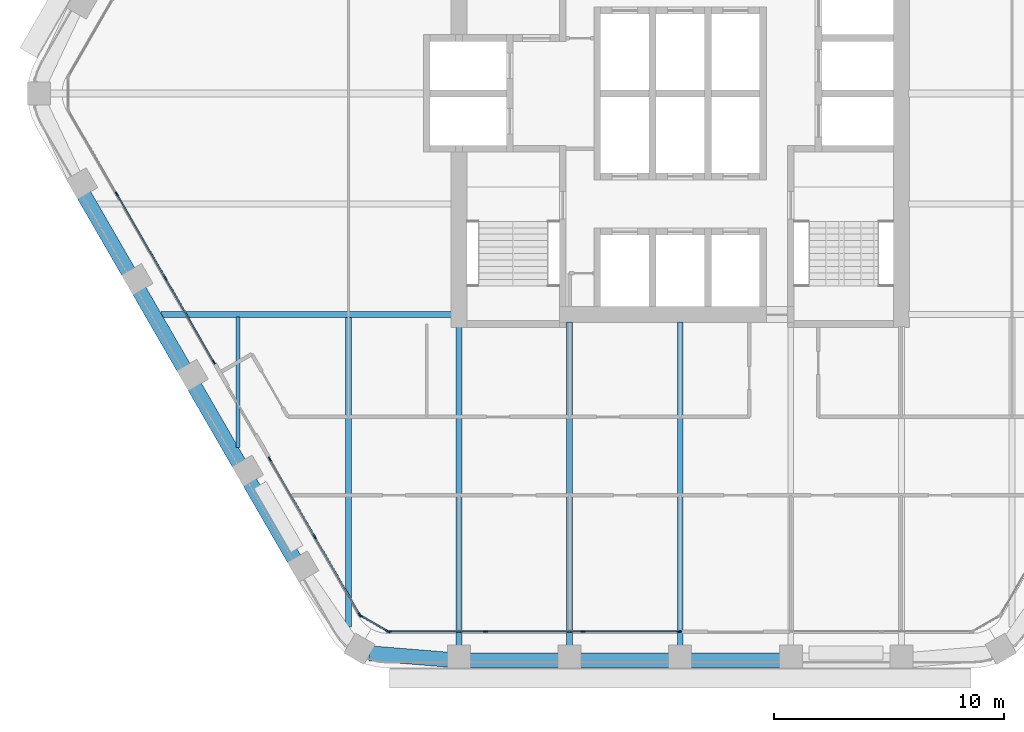
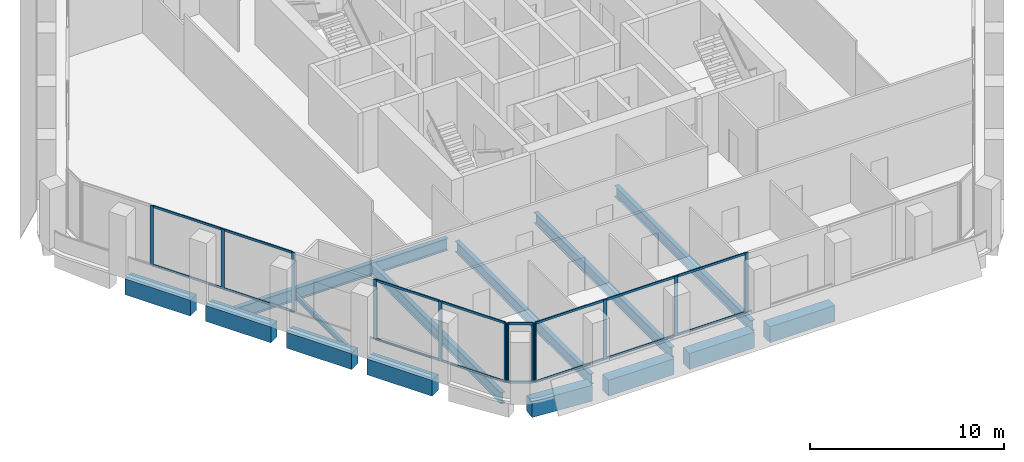
# One storey, part 2 of 15: 28 members, 14 beams, 4 elements without a shape of their own.
"""IFC4 building model written with IfcOpenShell, lengths in metres."""

import ifcopenshell
import ifcopenshell.guid

model = None  # the IFC model being written
_history = None  # IfcOwnerHistory: only IFC2X3 demands one
_inside = {}  # id of a spatial element -> (the spatial element, [elements in it])
_under = {}  # id of a project, library or spatial element -> (it, [spatial elements below it])
_declared = {}  # id of a project -> (the project, [libraries it declares])
_typed = {}  # id of a type object -> (the type object, [elements of that type])
_made_of = {}  # id of a material, layer set ... -> (it, [elements and type objects made of it])


def new_model(schema):
    """Start an empty IFC model of exactly this schema.

    Asked for "IFC4X3", IfcOpenShell would pick the latest addendum, in which some entities
    have other attributes; the version numbers below select the first issue.
    IFC2X3 requires an IfcOwnerHistory on every rooted entity: one is made here for all.
    """
    global model, _history
    if schema == "IFC4X3":
        model = ifcopenshell.file(schema_version=(4, 3, 0, 0))
    else:
        model = ifcopenshell.file(schema=schema)
    _inside.clear()
    _under.clear()
    _declared.clear()
    _typed.clear()
    _made_of.clear()
    _history = None
    if model.schema == "IFC2X3":
        org = make("IfcOrganization", Name="unknown")
        user = make(
            "IfcPersonAndOrganization",
            ThePerson=make("IfcPerson", FamilyName="unknown"),
            TheOrganization=org,
        )
        app = make(
            "IfcApplication",
            ApplicationDeveloper=org,
            Version="unknown",
            ApplicationFullName="unknown",
            ApplicationIdentifier="unknown",
        )
        _history = make(
            "IfcOwnerHistory",
            OwningUser=user,
            OwningApplication=app,
            ChangeAction="ADDED",
            CreationDate=0,
        )
    return model


def make(cls, **values):
    """One entity of the class cls with the attributes given. An attribute that is None is left unset."""
    return model.create_entity(
        cls, **{name: value for name, value in values.items() if value is not None}
    )


def rooted(cls, **values):
    """An entity with a GlobalId (a new one), such as an element, a storey or a relation."""
    return make(cls, GlobalId=ifcopenshell.guid.new(), OwnerHistory=_history, **values)


def si_unit(unit_type, name, prefix=None):
    """IfcSIUnit, for example si_unit("LENGTHUNIT", "METRE", prefix="MILLI")."""
    return make("IfcSIUnit", UnitType=unit_type, Prefix=prefix, Name=name)


def assignment(units):
    """IfcUnitAssignment: the units of a project."""
    return None if units is None else make("IfcUnitAssignment", Units=units)


def point(xyz):
    """IfcCartesianPoint."""
    return None if xyz is None else make("IfcCartesianPoint", Coordinates=xyz)


def direction(xyz):
    """IfcDirection."""
    return None if xyz is None else make("IfcDirection", DirectionRatios=xyz)


def frame(location, z_axis=None, x_axis=None):
    """IfcAxis2Placement3D, a coordinate frame: its origin and axes. An axis left out is left unset."""
    return make(
        "IfcAxis2Placement3D",
        Location=point(location),
        Axis=direction(z_axis),
        RefDirection=direction(x_axis),
    )


def frame_2d(location, x_axis=None):
    """IfcAxis2Placement2D, a coordinate frame in the plane: its origin and x axis."""
    return make(
        "IfcAxis2Placement2D", Location=point(location), RefDirection=direction(x_axis)
    )


def origin():
    """The frame at (0, 0, 0) with its axes left unset."""
    return frame((0.0, 0.0, 0.0))


def origin_2d():
    """The frame at (0, 0) in the plane with its x axis left unset."""
    return frame_2d((0.0, 0.0))


def place(relative_to, where):
    """IfcLocalPlacement: puts the frame where relative to a parent placement (None: the world)."""
    return make(
        "IfcLocalPlacement", PlacementRelTo=relative_to, RelativePlacement=where
    )


def context(
    kind, dimensions, precision=None, world=None, true_north=None, identifier=None
):
    """IfcGeometricRepresentationContext, for example the 3D "Model" context."""
    return make(
        "IfcGeometricRepresentationContext",
        ContextIdentifier=identifier,
        ContextType=kind,
        CoordinateSpaceDimension=dimensions,
        Precision=precision,
        WorldCoordinateSystem=world,
        TrueNorth=true_north,
    )


def subcontext(parent, identifier, kind, view, scale=None):
    """IfcGeometricRepresentationSubContext, for example "Body" below "Model"."""
    return make(
        "IfcGeometricRepresentationSubContext",
        ContextIdentifier=identifier,
        ContextType=kind,
        ParentContext=parent,
        TargetScale=scale,
        TargetView=view,
    )


def project(units=None, contexts=None):
    """IfcProject with its units and contexts."""
    return rooted(
        "IfcProject",
        Name="project",
        RepresentationContexts=contexts,
        UnitsInContext=assignment(units),
    )


def spatial(cls, under=None, at=None, **own):
    """A site, building, storey or space (cls), placed at a placement, below another one or the project."""
    s = rooted(cls, ObjectPlacement=at, **own)
    if under is not None:
        _under.setdefault(under.id(), (under, []))[1].append(s)
    return s


def profile(cls, at=None, kind="AREA", **sizes):
    """A parametric profile (cls). Its sizes go by their IFC names, for example OverallWidth=200.0."""
    return make(cls, ProfileType=kind, Position=at, **sizes)


def rectangle(**sizes):
    """IfcRectangleProfileDef."""
    return profile("IfcRectangleProfileDef", **sizes)


def i_section(**sizes):
    """IfcIShapeProfileDef."""
    return profile("IfcIShapeProfileDef", **sizes)


def extrude(swept, where, along, depth):
    """IfcExtrudedAreaSolid: the profile swept, set in the frame where, extruded along a direction by depth."""
    return make(
        "IfcExtrudedAreaSolid",
        SweptArea=swept,
        Position=where,
        ExtrudedDirection=direction(along),
        Depth=depth,
    )


def shape(context_of_items, identifier, shape_type, items):
    """IfcShapeRepresentation: the items that make up one representation, for example the "Body"."""
    return make(
        "IfcShapeRepresentation",
        ContextOfItems=context_of_items,
        RepresentationIdentifier=identifier,
        RepresentationType=shape_type,
        Items=items,
    )


def material(Name=None, Category=None):
    """IfcMaterial."""
    return make("IfcMaterial", Name=Name, Category=Category)


def material_profile(
    of_material, cross_section, Name=None, Category=None, Priority=None
):
    """IfcMaterialProfile: a cross section and its material."""
    return make(
        "IfcMaterialProfile",
        Name=Name,
        Material=of_material,
        Profile=cross_section,
        Priority=Priority,
        Category=Category,
    )


def profile_set(profiles, Name=None, composite=None):
    """IfcMaterialProfileSet."""
    return make(
        "IfcMaterialProfileSet",
        Name=Name,
        MaterialProfiles=profiles,
        CompositeProfile=composite,
    )


def made_of(thing, what):
    """Note that an element or type object is made of a material, layer set ...; save() writes the relation."""
    if what is not None:
        _made_of.setdefault(what.id(), (what, []))[1].append(thing)
    return thing


def type_object(cls, material=None, **own):
    """A type object (cls), such as IfcWallType, which elements share."""
    return made_of(rooted(cls, **own), material)


def element(
    cls,
    number,
    at=None,
    inside=None,
    cuts=None,
    type_object=None,
    material=None,
    context=None,
    identifier="Body",
    shape_type=None,
    held_by="IfcProductDefinitionShape",
    body=None,
    shapes=None,
    **own,
):
    """One element of the class cls, such as IfcWall. Its Tag is "e" and its number.

    at: its placement. inside: the storey or other place that contains it. cuts: it is an
    opening in that element (IfcRelVoidsElement). A single representation is given by context,
    identifier, shape_type and body (its items); several are given by shapes. held_by: the class
    of the entity that holds the representations. save() writes the other relations.
    """
    e = rooted(cls, Tag="e%d" % number, ObjectPlacement=at, **own)
    if body is not None:
        shapes = [shape(context, identifier, shape_type, body)]
    if shapes is not None:
        e.Representation = make(held_by, Representations=shapes)
    if inside is not None:
        _inside.setdefault(inside.id(), (inside, []))[1].append(e)
    if cuts is not None:
        rooted(
            "IfcRelVoidsElement", RelatingBuildingElement=cuts, RelatedOpeningElement=e
        )
    if type_object is not None:
        _typed.setdefault(type_object.id(), (type_object, []))[1].append(e)
    return made_of(e, material)


def aggregate(whole, parts):
    """IfcRelAggregates: a whole, such as a stair, and the parts it consists of."""
    return rooted("IfcRelAggregates", RelatingObject=whole, RelatedObjects=parts)


def save(model, path):
    """Write the relations noted so far, then the file.

    IfcRelAggregates (storeys below a building ...), IfcRelContainedInSpatialStructure (elements
    in a storey), IfcRelDefinesByType, IfcRelAssociatesMaterial and IfcRelDeclares: one each for
    every whole, place, type object, material and project.
    """
    for whole, parts in _under.values():
        aggregate(whole, parts)
    for where, things in _inside.values():
        rooted(
            "IfcRelContainedInSpatialStructure",
            RelatedElements=things,
            RelatingStructure=where,
        )
    for kind, things in _typed.values():
        rooted("IfcRelDefinesByType", RelatedObjects=things, RelatingType=kind)
    for what, things in _made_of.values():
        rooted("IfcRelAssociatesMaterial", RelatedObjects=things, RelatingMaterial=what)
    for by, libraries in _declared.values():
        rooted("IfcRelDeclares", RelatingContext=by, RelatedDefinitions=libraries)
    model.write(path)


model = new_model("IFC4")

# Units and contexts
model_context = context("Model", 3, precision=1e-05, world=origin(), true_north=direction((0.0, 1.0)))
body_context = subcontext(model_context, "Body", "Model", "MODEL_VIEW")
ifc_project = project(units=[si_unit("LENGTHUNIT", "METRE"), si_unit("AREAUNIT", "SQUARE_METRE"), si_unit("VOLUMEUNIT", "CUBIC_METRE"), si_unit("PLANEANGLEUNIT", "RADIAN"), si_unit("MASSUNIT", "GRAM", prefix="KILO")], contexts=[model_context])

# Site, building, storey
site_placement = place(None, origin())
site = spatial("IfcSite", under=ifc_project, at=site_placement, CompositionType="ELEMENT")
building_placement = place(site_placement, origin())
building = spatial("IfcBuilding", under=site, at=building_placement, Name="Kolab Exchange Tower", CompositionType="ELEMENT")
storey_placement = place(building_placement, frame((0.0, 0.0, 138.800048828125)))
storey = spatial("IfcBuildingStorey", under=building, at=storey_placement, Name="L27", CompositionType="ELEMENT", Elevation=138.800048828125)

# Beams
ifc_material_1 = material(Name="Steel S355", Category="steel")
ifc_material_profile_1 = material_profile(ifc_material_1, i_section(OverallWidth=0.1650390625, OverallDepth=0.31005859375, WebThickness=0.005859375, FlangeThickness=0.009765625, at=origin_2d()), Name="W310X39")
ifc_profile_set_1 = profile_set([ifc_material_profile_1], Name="Steel S355")
beam_type_1 = type_object("IfcBeamType", Name="FLOOR BEAM W310X39", PredefinedType="BEAM", material=ifc_profile_set_1)
beam_1_placement = place(storey_placement, frame((-19.199951171875, -15.36767578125, -0.304931640625), z_axis=(0.0, 1.0, 0.0), x_axis=(-1.0, 0.0, 0.0)))
element("IfcBeam", 1, at=beam_1_placement, inside=storey, type_object=beam_type_1, Name="beam/L27/fr/003", PredefinedType="BEAM", context=body_context, shape_type="SweptSolid", body=[
    extrude(i_section(OverallWidth=0.1650390625, OverallDepth=0.31005859375, WebThickness=0.005859375, FlangeThickness=0.009765625, at=origin_2d()), origin(), (0.0, 0.0, 1.0), 5.674072265625),
])
ifc_material_profile_2 = material_profile(ifc_material_1, i_section(OverallWidth=0.25390625, OverallDepth=0.68408203125, WebThickness=0.012451171875, FlangeThickness=0.018798828125, at=origin_2d()), Name="W690X140")
ifc_profile_set_2 = profile_set([ifc_material_profile_2], Name="Steel S355")
beam_type_2 = type_object("IfcBeamType", Name="FLOOR BEAM W690X140", PredefinedType="BEAM", material=ifc_profile_set_2)
beam_2_placement = place(storey_placement, frame((-14.39990234375, -23.15576171875, -0.491943359375), z_axis=(0.0, 1.0, 0.0), x_axis=(-1.0, 0.0, 0.0)))
element("IfcBeam", 2, at=beam_2_placement, inside=storey, type_object=beam_type_2, Name="beam/L27/fr/005", PredefinedType="BEAM", context=body_context, shape_type="SweptSolid", body=[
    extrude(i_section(OverallWidth=0.25390625, OverallDepth=0.68408203125, WebThickness=0.012451171875, FlangeThickness=0.018798828125, at=origin_2d()), origin(), (0.0, 0.0, 1.0), 13.462158203125),
])
beam_3_placement = place(storey_placement, frame((-9.60009765625, -23.9814453125, -0.491943359375), z_axis=(0.0, 1.0, 0.0), x_axis=(-1.0, 0.0, 0.0)))
element("IfcBeam", 3, at=beam_3_placement, inside=storey, type_object=beam_type_2, Name="beam/L27/fr/007", PredefinedType="BEAM", context=body_context, shape_type="SweptSolid", body=[
    extrude(i_section(OverallWidth=0.25390625, OverallDepth=0.68408203125, WebThickness=0.012451171875, FlangeThickness=0.018798828125, at=origin_2d()), origin(), (0.0, 0.0, 1.0), 13.871337890625),
])
for number, where, z_axis, x_axis, name in (
    (4, (-4.800048828125, -23.9814453125, -0.491943359375), (0.0, 1.0, 0.0), (-1.0, 0.0, 0.0), "beam/L27/fr/009"),
    (5, (0.0, -23.9814453125, -0.491943359375), (0.0, 1.0, 0.0), (-1.0, 0.0, 0.0), "beam/L27/fr/011"),
):
    element("IfcBeam", number, at=place(storey_placement, frame(where, z_axis=z_axis, x_axis=x_axis)), inside=storey, type_object=beam_type_2, Name=name, PredefinedType="BEAM", context=body_context, shape_type="SweptSolid", body=[
        extrude(i_section(OverallWidth=0.25390625, OverallDepth=0.68408203125, WebThickness=0.012451171875, FlangeThickness=0.018798828125, at=origin_2d()), origin(), (0.0, 0.0, 1.0), 14.071533203125),
    ])
ifc_material_profile_3 = material_profile(ifc_material_1, i_section(OverallWidth=0.26708984375, OverallDepth=0.761962890625, WebThickness=0.014404296875, FlangeThickness=0.021484375, at=origin_2d()), Name="W760X173")
ifc_profile_set_3 = profile_set([ifc_material_profile_3], Name="Steel S355")
beam_type_3 = type_object("IfcBeamType", Name="FLOOR GIRDER W760X173", PredefinedType="BEAM", material=ifc_profile_set_3)
beam_4_placement = place(storey_placement, frame((-22.546875, -9.60009765625, -0.531005859375), z_axis=(1.0, 0.0, 0.0), x_axis=(0.0, 1.0, 0.0)))
element("IfcBeam", 6, at=beam_4_placement, inside=storey, type_object=beam_type_3, Name="beam/L27/gd/000", PredefinedType="BEAM", context=body_context, shape_type="SweptSolid", body=[
    extrude(i_section(OverallWidth=0.26708984375, OverallDepth=0.761962890625, WebThickness=0.014404296875, FlangeThickness=0.021484375, at=origin_2d()), origin(), (0.0, 0.0, 1.0), 12.636962890625),
])
ifc_material_2 = material(Name="Concrete C60/75", Category="concrete")
ifc_material_profile_4 = material_profile(ifc_material_2, rectangle(XDim=0.64990234375, YDim=1.0, at=origin_2d()), Name="RC650X1000")
ifc_profile_set_4 = profile_set([ifc_material_profile_4], Name="Concrete C60/75")
beam_type_4 = type_object("IfcBeamType", Name="SPANDREL BEAM 650X1000 C60/75", PredefinedType="BEAM", material=ifc_profile_set_4)
for number, where, z_axis, x_axis, name in (
    (7, (4.340087890625, -24.616455078125, -0.650146484375), (-1.0, 0.0, 0.0), (0.0, -1.0, 0.0), "beam/L27/sp/F4-03"),
    (8, (-0.4599609375, -24.616455078125, -0.650146484375), (-1.0, 0.0, 0.0), (0.0, -1.0, 0.0), "beam/L27/sp/F4-04"),
):
    element("IfcBeam", number, at=place(storey_placement, frame(where, z_axis=z_axis, x_axis=x_axis)), inside=storey, type_object=beam_type_4, Name=name, PredefinedType="BEAM", context=body_context, shape_type="SweptSolid", body=[
        extrude(rectangle(XDim=0.64990234375, YDim=1.0, at=origin_2d()), origin(), (0.0, 0.0, 1.0), 3.880126953125),
    ])
beam_5_placement = place(storey_placement, frame((-5.260009765625, -24.616455078125, -0.650146484375), z_axis=(-1.0, 0.0, 0.0), x_axis=(0.0, -1.0, 0.0)))
element("IfcBeam", 9, at=beam_5_placement, inside=storey, type_object=beam_type_4, Name="beam/L27/sp/F4-05", PredefinedType="BEAM", context=body_context, shape_type="SweptSolid", body=[
    extrude(rectangle(XDim=0.64990234375, YDim=1.0, at=origin_2d()), origin(), (0.0, 0.0, 1.0), 3.8798828125),
])
beam_6_placement = place(storey_placement, frame((-10.06005859375, -24.5791015625, -0.650146484375), z_axis=(-0.996708497182, 0.081068931445, 0.0), x_axis=(-0.081068931445, -0.996708497182, 0.0)))
element("IfcBeam", 10, at=beam_6_placement, inside=storey, type_object=beam_type_4, Name="beam/L27/sp/F4-06", PredefinedType="BEAM", context=body_context, shape_type="SweptSolid", body=[
    extrude(rectangle(XDim=0.64990234375, YDim=1.0, at=origin_2d()), origin(), (0.0, 0.0, 1.0), 3.445068359375),
])
beam_7_placement = place(storey_placement, frame((-16.74853515625, -20.2236328125, -0.650146484375), z_axis=(-0.499996613652, 0.866027358884, 0.0), x_axis=(-0.866027358884, -0.499996613652, 0.0)))
element("IfcBeam", 11, at=beam_7_placement, inside=storey, type_object=beam_type_4, Name="beam/L27/sp/F5-02", PredefinedType="BEAM", context=body_context, shape_type="SweptSolid", body=[
    extrude(rectangle(XDim=0.64990234375, YDim=1.0, at=origin_2d()), origin(), (0.0, 0.0, 1.0), 3.8798828125),
])
beam_8_placement = place(storey_placement, frame((-19.1484375, -16.06689453125, -0.650146484375), z_axis=(-0.50001655835, 0.866015843605, 0.0), x_axis=(-0.866015843605, -0.50001655835, 0.0)))
element("IfcBeam", 12, at=beam_8_placement, inside=storey, type_object=beam_type_4, Name="beam/L27/sp/F5-03", PredefinedType="BEAM", context=body_context, shape_type="SweptSolid", body=[
    extrude(rectangle(XDim=0.64990234375, YDim=1.0, at=origin_2d()), origin(), (0.0, 0.0, 1.0), 3.880126953125),
])
for number, where, z_axis, x_axis, name in (
    (13, (-21.548583984375, -11.909912109375, -0.650146484375), (-0.499996613652, 0.866027358884, 0.0), (-0.866027358884, -0.499996613652, 0.0), "beam/L27/sp/F5-04"),
    (14, (-23.948486328125, -7.7529296875, -0.650146484375), (-0.499996613652, 0.866027358884, 0.0), (-0.866027358884, -0.499996613652, 0.0), "beam/L27/sp/F5-05"),
):
    element("IfcBeam", number, at=place(storey_placement, frame(where, z_axis=z_axis, x_axis=x_axis)), inside=storey, type_object=beam_type_4, Name=name, PredefinedType="BEAM", context=body_context, shape_type="SweptSolid", body=[
        extrude(rectangle(XDim=0.64990234375, YDim=1.0, at=origin_2d()), origin(), (0.0, 0.0, 1.0), 3.8798828125),
    ])

# Curtain wall, members
ifc_material_3 = material(Name="Aluminium EN AW-6063 T6", Category="aluminium")
curtain_wall_type = type_object("IfcCurtainWallType", Name="UNITISED UPPER MID ZONE CURTAIN WALL", PredefinedType="NOTDEFINED", material=ifc_material_3)
curtain_wall_1_placement = place(storey_placement, origin())
curtain_wall_1 = element("IfcCurtainWall", 15, at=curtain_wall_1_placement, inside=storey, type_object=curtain_wall_type, Name="cw/L27/F4-2", PredefinedType="NOTDEFINED")
ifc_material_profile_5 = material_profile(ifc_material_3, rectangle(XDim=0.06005859375, YDim=0.199951171875, at=origin_2d()), Name="RECT 60X200")
ifc_profile_set_5 = profile_set([ifc_material_profile_5], Name="Aluminium EN AW-6063 T6")
member_type_1 = type_object("IfcMemberType", Name="UNITISED UPPER MID ZONE MULLION 60 X 200", PredefinedType="MULLION", material=ifc_profile_set_5)
member_1_placement = place(storey_placement, frame((-0.030029296875, -23.361572265625, 0.0), z_axis=(0.0, 0.0, 1.0), x_axis=(0.0, -1.0, 0.0)))
member_1 = element("IfcMember", 16, at=member_1_placement, type_object=member_type_1, Name="CW3 mullion 1", PredefinedType="MULLION", context=body_context, shape_type="SweptSolid", body=[
    extrude(rectangle(XDim=0.06005859375, YDim=0.199951171875, at=origin_2d()), origin(), (0.0, 0.0, 1.0), 3.75),
])
member_2_placement = place(storey_placement, frame((-4.22265625, -23.361572265625, 0.0), z_axis=(0.0, 0.0, 1.0), x_axis=(0.0, -1.0, 0.0)))
member_2 = element("IfcMember", 17, at=member_2_placement, type_object=member_type_1, Name="CW3 mullion 2", PredefinedType="MULLION", context=body_context, shape_type="SweptSolid", body=[
    extrude(rectangle(XDim=0.06005859375, YDim=0.199951171875, at=origin_2d()), origin(), (0.0, 0.0, 1.0), 3.75),
])
member_3_placement = place(storey_placement, frame((-8.4453125, -23.361572265625, 0.0), z_axis=(0.0, 0.0, 1.0), x_axis=(0.0, -1.0, 0.0)))
member_3 = element("IfcMember", 18, at=member_3_placement, type_object=member_type_1, Name="CW3 mullion 3", PredefinedType="MULLION", context=body_context, shape_type="SweptSolid", body=[
    extrude(rectangle(XDim=0.06005859375, YDim=0.199951171875, at=origin_2d()), origin(), (0.0, 0.0, 1.0), 3.75),
])
member_4_placement = place(storey_placement, frame((-12.637939453125, -23.361572265625, 0.0), z_axis=(0.0, 0.0, 1.0), x_axis=(0.0, -1.0, 0.0)))
member_4 = element("IfcMember", 19, at=member_4_placement, type_object=member_type_1, Name="CW3 mullion 4", PredefinedType="MULLION", context=body_context, shape_type="SweptSolid", body=[
    extrude(rectangle(XDim=0.06005859375, YDim=0.199951171875, at=origin_2d()), origin(), (0.0, 0.0, 1.0), 3.75),
])

curtain_wall_2_placement = place(storey_placement, origin())
curtain_wall_2 = element("IfcCurtainWall", 20, at=curtain_wall_2_placement, inside=storey, type_object=curtain_wall_type, Name="cw/L27/F5-1", PredefinedType="NOTDEFINED")
member_5_placement = place(storey_placement, frame((-13.91259765625, -22.62548828125, 0.0), z_axis=(0.0, 0.0, 1.0), x_axis=(-0.866025385493, -0.500000031681, 0.0)))
member_5 = element("IfcMember", 21, at=member_5_placement, type_object=member_type_1, Name="CW3 mullion 1", PredefinedType="MULLION", context=body_context, shape_type="SweptSolid", body=[
    extrude(rectangle(XDim=0.06005859375, YDim=0.199951171875, at=origin_2d()), origin(), (0.0, 0.0, 1.0), 3.75),
])
member_6_placement = place(storey_placement, frame((-15.86474609375, -19.24462890625, 0.0), z_axis=(0.0, 0.0, 1.0), x_axis=(-0.866025385493, -0.500000031681, 0.0)))
member_6 = element("IfcMember", 22, at=member_6_placement, type_object=member_type_1, Name="CW3 mullion 2", PredefinedType="MULLION", context=body_context, shape_type="SweptSolid", body=[
    extrude(rectangle(XDim=0.06005859375, YDim=0.199951171875, at=origin_2d()), origin(), (0.0, 0.0, 1.0), 3.75),
])
member_7_placement = place(storey_placement, frame((-17.816650390625, -15.86376953125, 0.0), z_axis=(0.0, 0.0, 1.0), x_axis=(-0.866025385493, -0.500000031681, 0.0)))
member_7 = element("IfcMember", 23, at=member_7_placement, type_object=member_type_1, Name="CW3 mullion 3", PredefinedType="MULLION", context=body_context, shape_type="SweptSolid", body=[
    extrude(rectangle(XDim=0.06005859375, YDim=0.199951171875, at=origin_2d()), origin(), (0.0, 0.0, 1.0), 3.75),
])

curtain_wall_3_placement = place(storey_placement, origin())
curtain_wall_3 = element("IfcCurtainWall", 24, at=curtain_wall_3_placement, inside=storey, type_object=curtain_wall_type, Name="cw/L27/F5-2", PredefinedType="NOTDEFINED")
member_8_placement = place(storey_placement, frame((-20.24658203125, -11.65478515625, 0.0), z_axis=(0.0, 0.0, 1.0), x_axis=(-0.866025427826, -0.499999958358, 0.0)))
member_8 = element("IfcMember", 25, at=member_8_placement, type_object=member_type_1, Name="CW3 mullion 1", PredefinedType="MULLION", context=body_context, shape_type="SweptSolid", body=[
    extrude(rectangle(XDim=0.06005859375, YDim=0.199951171875, at=origin_2d()), origin(), (0.0, 0.0, 1.0), 3.75),
])
member_9_placement = place(storey_placement, frame((-22.343017578125, -8.02392578125, 0.0), z_axis=(0.0, 0.0, 1.0), x_axis=(-0.866025427826, -0.499999958358, 0.0)))
member_9 = element("IfcMember", 26, at=member_9_placement, type_object=member_type_1, Name="CW3 mullion 2", PredefinedType="MULLION", context=body_context, shape_type="SweptSolid", body=[
    extrude(rectangle(XDim=0.06005859375, YDim=0.199951171875, at=origin_2d()), origin(), (0.0, 0.0, 1.0), 3.75),
])
member_10_placement = place(storey_placement, frame((-24.454345703125, -4.366943359375, 0.0), z_axis=(0.0, 0.0, 1.0), x_axis=(-0.866025427826, -0.499999958358, 0.0)))
member_10 = element("IfcMember", 27, at=member_10_placement, type_object=member_type_1, Name="CW3 mullion 3", PredefinedType="MULLION", context=body_context, shape_type="SweptSolid", body=[
    extrude(rectangle(XDim=0.06005859375, YDim=0.199951171875, at=origin_2d()), origin(), (0.0, 0.0, 1.0), 3.75),
])

curtain_wall_4_placement = place(storey_placement, origin())
curtain_wall_4 = element("IfcCurtainWall", 28, at=curtain_wall_4_placement, inside=storey, type_object=curtain_wall_type, Name="cw/L27/F4F5-corner", PredefinedType="NOTDEFINED")
member_11_placement = place(storey_placement, frame((-12.69384765625, -23.346435546875, 0.0), z_axis=(0.0, 0.0, 1.0), x_axis=(-0.50000002237, -0.866025390869, 0.0)))
member_11 = element("IfcMember", 29, at=member_11_placement, type_object=member_type_1, Name="CW3 mullion 1", PredefinedType="MULLION", context=body_context, shape_type="SweptSolid", body=[
    extrude(rectangle(XDim=0.06005859375, YDim=0.199951171875, at=origin_2d()), origin(), (0.0, 0.0, 1.0), 3.75),
])
member_12_placement = place(storey_placement, frame((-13.871826171875, -22.66650390625, 0.0), z_axis=(0.0, 0.0, 1.0), x_axis=(-0.50000002237, -0.866025390869, 0.0)))
member_12 = element("IfcMember", 30, at=member_12_placement, type_object=member_type_1, Name="CW3 mullion 2", PredefinedType="MULLION", context=body_context, shape_type="SweptSolid", body=[
    extrude(rectangle(XDim=0.06005859375, YDim=0.199951171875, at=origin_2d()), origin(), (0.0, 0.0, 1.0), 3.75),
])

# Member
ifc_material_profile_6 = material_profile(ifc_material_3, rectangle(XDim=0.06005859375, YDim=0.139892578125, at=origin_2d()), Name="RECT 60X140")
ifc_profile_set_6 = profile_set([ifc_material_profile_6], Name="Aluminium EN AW-6063 T6")
member_type_2 = type_object("IfcMemberType", Name="UNITISED UPPER MID ZONE TRANSOM 60 X 140", PredefinedType="USERDEFINED", material=ifc_profile_set_6)
member_13_placement = place(storey_placement, frame((-0.06005859375, -23.361572265625, 0.030029296875), z_axis=(-1.0, 0.0, 0.0), x_axis=(0.0, -1.0, 0.0)))
member_13 = element("IfcMember", 31, at=member_13_placement, type_object=member_type_2, Name="CW3 transom 1.1", ObjectType="TRANSOM", PredefinedType="USERDEFINED", context=body_context, shape_type="SweptSolid", body=[
    extrude(rectangle(XDim=0.06005859375, YDim=0.139892578125, at=origin_2d()), origin(), (0.0, 0.0, 1.0), 4.132568359375),
])

member_14_placement = place(storey_placement, frame((-0.06005859375, -23.361572265625, 3.719970703125), z_axis=(-1.0, 0.0, 0.0), x_axis=(0.0, -1.0, 0.0)))
member_14 = element("IfcMember", 32, at=member_14_placement, type_object=member_type_2, Name="CW3 transom 1.2", ObjectType="TRANSOM", PredefinedType="USERDEFINED", context=body_context, shape_type="SweptSolid", body=[
    extrude(rectangle(XDim=0.06005859375, YDim=0.139892578125, at=origin_2d()), origin(), (0.0, 0.0, 1.0), 4.132568359375),
])

member_15_placement = place(storey_placement, frame((-4.252685546875, -23.361572265625, 0.030029296875), z_axis=(-1.0, 0.0, 0.0), x_axis=(0.0, -1.0, 0.0)))
member_15 = element("IfcMember", 33, at=member_15_placement, type_object=member_type_2, Name="CW3 transom 2.1", ObjectType="TRANSOM", PredefinedType="USERDEFINED", context=body_context, shape_type="SweptSolid", body=[
    extrude(rectangle(XDim=0.06005859375, YDim=0.139892578125, at=origin_2d()), origin(), (0.0, 0.0, 1.0), 4.16259765625),
])

member_16_placement = place(storey_placement, frame((-4.252685546875, -23.361572265625, 3.719970703125), z_axis=(-1.0, 0.0, 0.0), x_axis=(0.0, -1.0, 0.0)))
member_16 = element("IfcMember", 34, at=member_16_placement, type_object=member_type_2, Name="CW3 transom 2.2", ObjectType="TRANSOM", PredefinedType="USERDEFINED", context=body_context, shape_type="SweptSolid", body=[
    extrude(rectangle(XDim=0.06005859375, YDim=0.139892578125, at=origin_2d()), origin(), (0.0, 0.0, 1.0), 4.16259765625),
])

member_17_placement = place(storey_placement, frame((-8.475341796875, -23.361572265625, 0.030029296875), z_axis=(-1.0, 0.0, 0.0), x_axis=(0.0, -1.0, 0.0)))
member_17 = element("IfcMember", 35, at=member_17_placement, type_object=member_type_2, Name="CW3 transom 3.1", ObjectType="TRANSOM", PredefinedType="USERDEFINED", context=body_context, shape_type="SweptSolid", body=[
    extrude(rectangle(XDim=0.06005859375, YDim=0.139892578125, at=origin_2d()), origin(), (0.0, 0.0, 1.0), 4.132568359375),
])

member_18_placement = place(storey_placement, frame((-8.475341796875, -23.361572265625, 3.719970703125), z_axis=(-1.0, 0.0, 0.0), x_axis=(0.0, -1.0, 0.0)))
member_18 = element("IfcMember", 36, at=member_18_placement, type_object=member_type_2, Name="CW3 transom 3.2", ObjectType="TRANSOM", PredefinedType="USERDEFINED", context=body_context, shape_type="SweptSolid", body=[
    extrude(rectangle(XDim=0.06005859375, YDim=0.139892578125, at=origin_2d()), origin(), (0.0, 0.0, 1.0), 4.132568359375),
])

aggregate(curtain_wall_1, [member_1, member_2, member_3, member_4, member_13, member_14, member_15, member_16, member_17, member_18])

member_19_placement = place(storey_placement, frame((-13.927734375, -22.599609375, 0.030029296875), z_axis=(-0.499964356602, 0.866045981532, 0.0), x_axis=(-0.866045981532, -0.499964356602, 0.0)))
member_19 = element("IfcMember", 37, at=member_19_placement, type_object=member_type_2, Name="CW3 transom 1.1", ObjectType="TRANSOM", PredefinedType="USERDEFINED", context=body_context, shape_type="SweptSolid", body=[
    extrude(rectangle(XDim=0.06005859375, YDim=0.139892578125, at=origin_2d()), origin(), (0.0, 0.0, 1.0), 3.843994140625),
])

member_20_placement = place(storey_placement, frame((-13.927734375, -22.599609375, 3.719970703125), z_axis=(-0.499964356602, 0.866045981532, 0.0), x_axis=(-0.866045981532, -0.499964356602, 0.0)))
member_20 = element("IfcMember", 38, at=member_20_placement, type_object=member_type_2, Name="CW3 transom 1.2", ObjectType="TRANSOM", PredefinedType="USERDEFINED", context=body_context, shape_type="SweptSolid", body=[
    extrude(rectangle(XDim=0.06005859375, YDim=0.139892578125, at=origin_2d()), origin(), (0.0, 0.0, 1.0), 3.843994140625),
])

member_21_placement = place(storey_placement, frame((-15.879638671875, -19.21875, 0.030029296875), z_axis=(-0.500011990396, 0.866018481016, 0.0), x_axis=(-0.866018481016, -0.500011990396, 0.0)))
member_21 = element("IfcMember", 39, at=member_21_placement, type_object=member_type_2, Name="CW3 transom 2.1", ObjectType="TRANSOM", PredefinedType="USERDEFINED", context=body_context, shape_type="SweptSolid", body=[
    extrude(rectangle(XDim=0.06005859375, YDim=0.139892578125, at=origin_2d()), origin(), (0.0, 0.0, 1.0), 3.84423828125),
])

member_22_placement = place(storey_placement, frame((-15.879638671875, -19.21875, 3.719970703125), z_axis=(-0.500011990396, 0.866018481016, 0.0), x_axis=(-0.866018481016, -0.500011990396, 0.0)))
member_22 = element("IfcMember", 40, at=member_22_placement, type_object=member_type_2, Name="CW3 transom 2.2", ObjectType="TRANSOM", PredefinedType="USERDEFINED", context=body_context, shape_type="SweptSolid", body=[
    extrude(rectangle(XDim=0.06005859375, YDim=0.139892578125, at=origin_2d()), origin(), (0.0, 0.0, 1.0), 3.84423828125),
])

aggregate(curtain_wall_2, [member_5, member_6, member_7, member_19, member_20, member_21, member_22])

member_23_placement = place(storey_placement, frame((-20.26171875, -11.62890625, 0.030029296875), z_axis=(-0.500001996123, 0.866024251319, 0.0), x_axis=(-0.866024251319, -0.500001996123, 0.0)))
member_23 = element("IfcMember", 41, at=member_23_placement, type_object=member_type_2, Name="CW3 transom 1.1", ObjectType="TRANSOM", PredefinedType="USERDEFINED", context=body_context, shape_type="SweptSolid", body=[
    extrude(rectangle(XDim=0.06005859375, YDim=0.139892578125, at=origin_2d()), origin(), (0.0, 0.0, 1.0), 4.1328125),
])

member_24_placement = place(storey_placement, frame((-20.26171875, -11.62890625, 3.719970703125), z_axis=(-0.500001996123, 0.866024251319, 0.0), x_axis=(-0.866024251319, -0.500001996123, 0.0)))
member_24 = element("IfcMember", 42, at=member_24_placement, type_object=member_type_2, Name="CW3 transom 1.2", ObjectType="TRANSOM", PredefinedType="USERDEFINED", context=body_context, shape_type="SweptSolid", body=[
    extrude(rectangle(XDim=0.06005859375, YDim=0.139892578125, at=origin_2d()), origin(), (0.0, 0.0, 1.0), 4.1328125),
])

member_25_placement = place(storey_placement, frame((-22.35791015625, -7.997802734375, 0.030029296875), z_axis=(-0.49999322259, 0.866029316688, 0.0), x_axis=(-0.866029316688, -0.49999322259, 0.0)))
member_25 = element("IfcMember", 43, at=member_25_placement, type_object=member_type_2, Name="CW3 transom 2.1", ObjectType="TRANSOM", PredefinedType="USERDEFINED", context=body_context, shape_type="SweptSolid", body=[
    extrude(rectangle(XDim=0.06005859375, YDim=0.139892578125, at=origin_2d()), origin(), (0.0, 0.0, 1.0), 4.16259765625),
])

member_26_placement = place(storey_placement, frame((-22.35791015625, -7.997802734375, 3.719970703125), z_axis=(-0.49999322259, 0.866029316688, 0.0), x_axis=(-0.866029316688, -0.49999322259, 0.0)))
member_26 = element("IfcMember", 44, at=member_26_placement, type_object=member_type_2, Name="CW3 transom 2.2", ObjectType="TRANSOM", PredefinedType="USERDEFINED", context=body_context, shape_type="SweptSolid", body=[
    extrude(rectangle(XDim=0.06005859375, YDim=0.139892578125, at=origin_2d()), origin(), (0.0, 0.0, 1.0), 4.16259765625),
])

aggregate(curtain_wall_3, [member_8, member_9, member_10, member_23, member_24, member_25, member_26])

member_27_placement = place(storey_placement, frame((-12.719970703125, -23.33154296875, 0.030029296875), z_axis=(-0.86603858612, 0.49997716683, 0.0), x_axis=(-0.49997716683, -0.86603858612, 0.0)))
member_27 = element("IfcMember", 45, at=member_27_placement, type_object=member_type_2, Name="CW3 transom 1.1", ObjectType="TRANSOM", PredefinedType="USERDEFINED", context=body_context, shape_type="SweptSolid", body=[
    extrude(rectangle(XDim=0.06005859375, YDim=0.139892578125, at=origin_2d()), origin(), (0.0, 0.0, 1.0), 1.2998046875),
])

member_28_placement = place(storey_placement, frame((-12.719970703125, -23.33154296875, 3.719970703125), z_axis=(-0.86603858612, 0.49997716683, 0.0), x_axis=(-0.49997716683, -0.86603858612, 0.0)))
member_28 = element("IfcMember", 46, at=member_28_placement, type_object=member_type_2, Name="CW3 transom 1.2", ObjectType="TRANSOM", PredefinedType="USERDEFINED", context=body_context, shape_type="SweptSolid", body=[
    extrude(rectangle(XDim=0.06005859375, YDim=0.139892578125, at=origin_2d()), origin(), (0.0, 0.0, 1.0), 1.2998046875),
])

aggregate(curtain_wall_4, [member_11, member_12, member_27, member_28])

save(model, "model.ifc")
